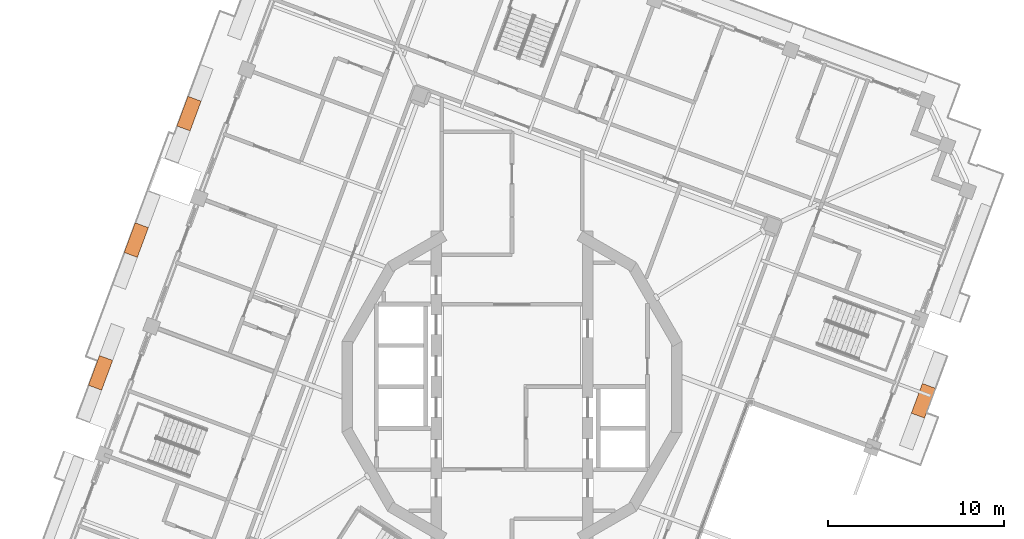
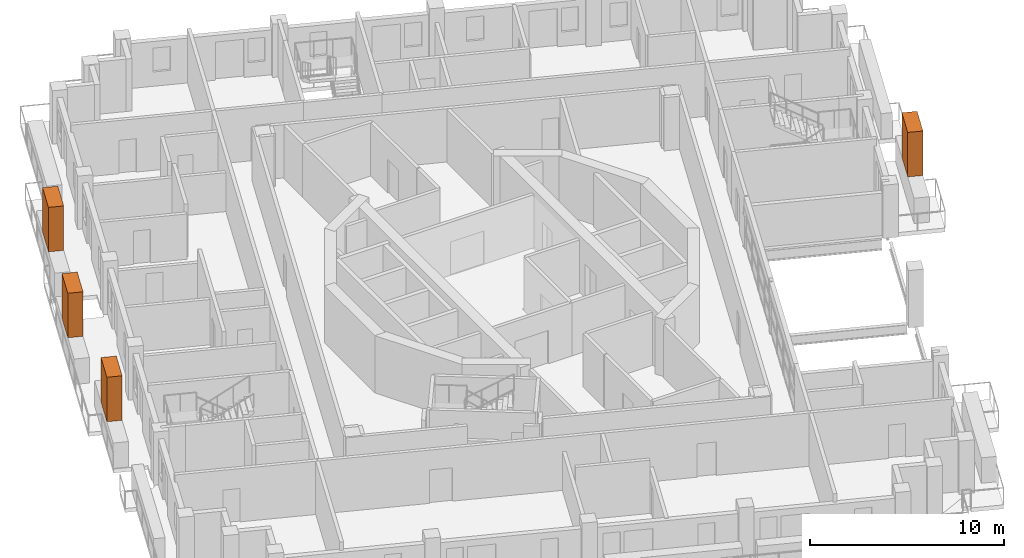
# One storey, part 19 of 19: 4 proxies.
"""IFC4 building model written with IfcOpenShell, lengths in metres."""

from ifc_helpers import new_model, si_unit, direction, frame, origin, origin_2d, place, context, subcontext, project, spatial, rectangle, extrude, element, save


model = new_model("IFC4")

# Units and contexts
model_context = context("Model", 3, precision=1e-05, world=origin(), true_north=direction((0.0, 1.0)))
body_context = subcontext(model_context, "Body", "Model", "MODEL_VIEW")
ifc_project = project(units=[si_unit("LENGTHUNIT", "METRE"), si_unit("AREAUNIT", "SQUARE_METRE"), si_unit("VOLUMEUNIT", "CUBIC_METRE"), si_unit("PLANEANGLEUNIT", "RADIAN"), si_unit("MASSUNIT", "GRAM", prefix="KILO")], contexts=[model_context])

# Site, building, storey
site_placement = place(None, origin())
site = spatial("IfcSite", under=ifc_project, at=site_placement, CompositionType="ELEMENT")
building_placement = place(site_placement, origin())
building = spatial("IfcBuilding", under=site, at=building_placement, Name="Cantera Rosa Tower", CompositionType="ELEMENT")
storey_placement = place(building_placement, frame((0.0, 0.0, 331.300048828125)))
storey = spatial("IfcBuildingStorey", under=building, at=storey_placement, Name="L74", CompositionType="ELEMENT", Elevation=331.300048828125)

# Proxies
for number, where, z_axis, x_axis, name in (
    (1, (-18.3544921875, 15.525146484375, 1.60009765625), (0.0, 0.0, 1.0), (-0.347481234489, -0.937686936924, 0.0), "TREE L74-06"),
    (2, (-21.351806640625, 8.339111328125, 1.60009765625), (0.0, 0.0, 1.0), (-0.347481234489, -0.937686936924, 0.0), "TREE L74-07"),
    (3, (-23.38134765625, 0.7939453125, 1.60009765625), (0.0, 0.0, 1.0), (-0.347481234489, -0.937686936924, 0.0), "TREE L74-08"),
    (4, (23.38134765625, -0.7939453125, 1.60009765625), (0.0, 0.0, 1.0), (0.347481234489, 0.937686936924, 0.0), "TREE L74-17"),
):
    element("IfcBuildingElementProxy", number, at=place(storey_placement, frame(where, z_axis=z_axis, x_axis=x_axis)), inside=storey, Name=name, ObjectType="TREE", PredefinedType="USERDEFINED", context=body_context, shape_type="SweptSolid", body=[
        extrude(rectangle(XDim=1.800048828125, YDim=0.800048828125, at=origin_2d()), origin(), (0.0, 0.0, 1.0), 2.800048828125),
    ])

save(model, "model.ifc")
